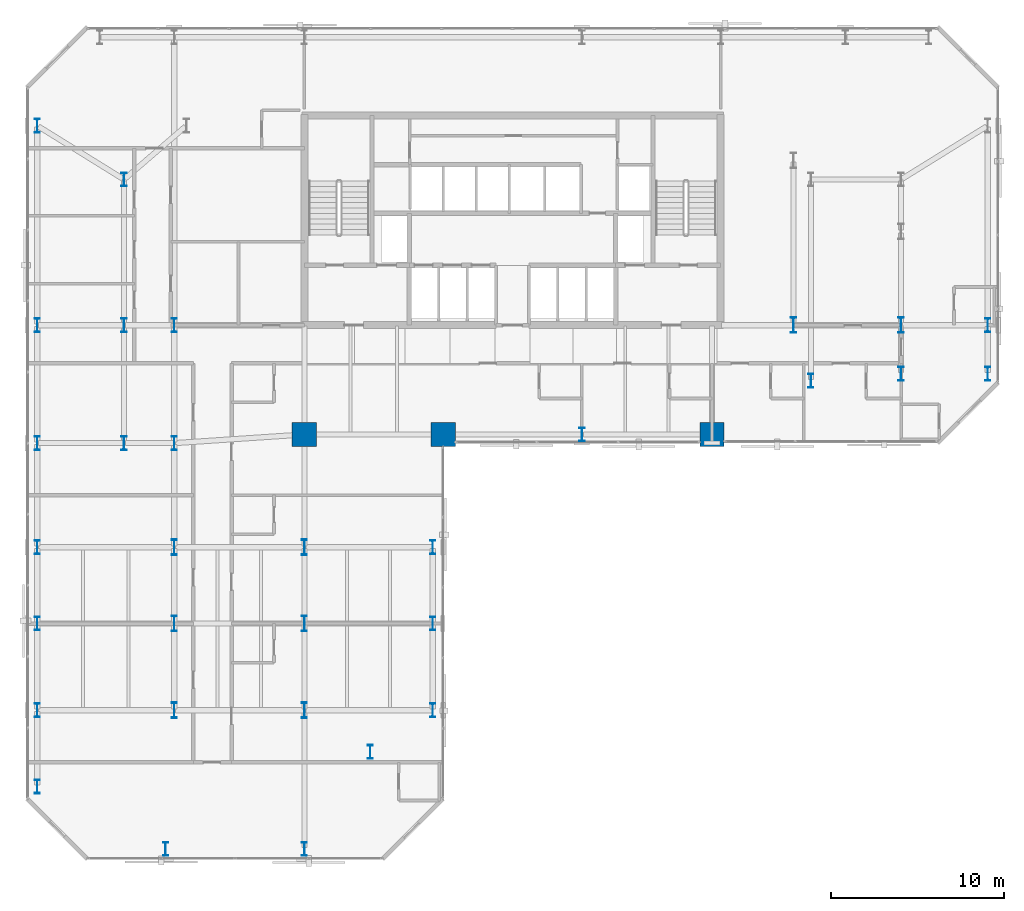
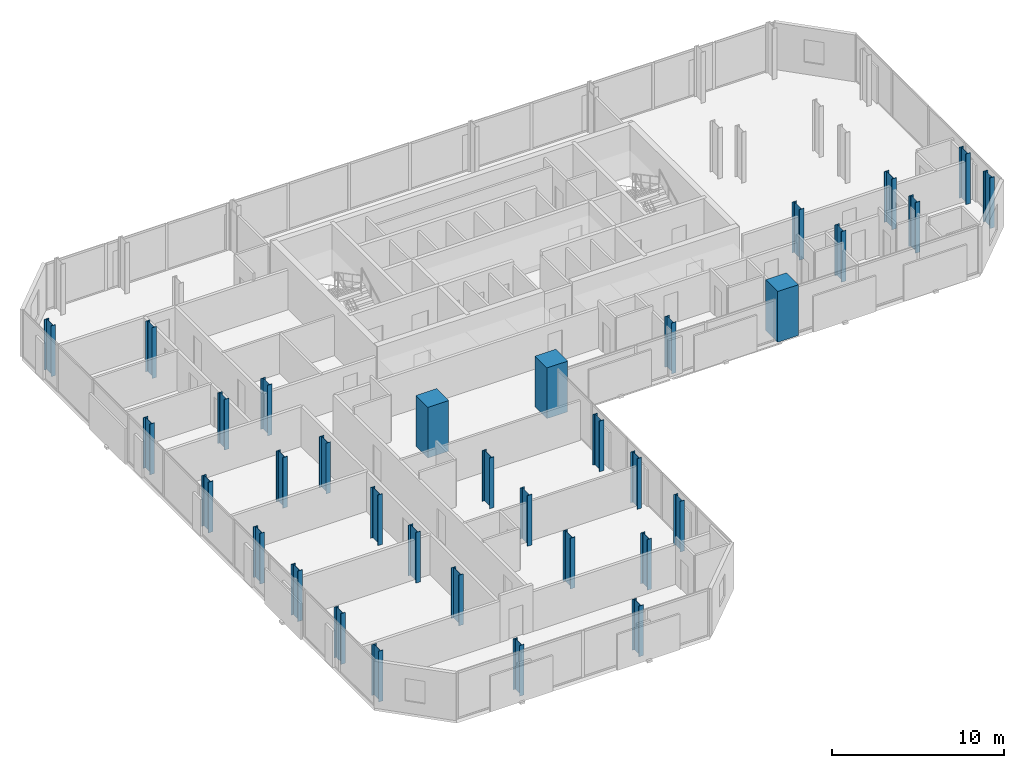
# One storey, part 1 of 32: 34 columns.
"""IFC4 building model written with IfcOpenShell, lengths in metres."""

from ifc_helpers import new_model, si_unit, direction, frame, origin, origin_2d, place, context, subcontext, project, spatial, rectangle, i_section, extrude, material, material_profile, profile_set, type_object, element, save


model = new_model("IFC4")

# Units and contexts
model_context = context("Model", 3, precision=1e-05, world=origin(), true_north=direction((0.0, 1.0)))
body_context = subcontext(model_context, "Body", "Model", "MODEL_VIEW")
ifc_project = project(units=[si_unit("LENGTHUNIT", "METRE"), si_unit("AREAUNIT", "SQUARE_METRE"), si_unit("VOLUMEUNIT", "CUBIC_METRE"), si_unit("PLANEANGLEUNIT", "RADIAN"), si_unit("MASSUNIT", "GRAM", prefix="KILO")], contexts=[model_context])

# Site, building, storey
site_placement = place(None, origin())
site = spatial("IfcSite", under=ifc_project, at=site_placement, CompositionType="ELEMENT")
building_placement = place(site_placement, origin())
building = spatial("IfcBuilding", under=site, at=building_placement, Name="Catumbela Crestline Tower", CompositionType="ELEMENT")
storey_placement = place(building_placement, frame((0.0, 0.0, 61.8)))
storey = spatial("IfcBuildingStorey", under=building, at=storey_placement, Name="L15", CompositionType="ELEMENT", Elevation=61.8)

# Columns
ifc_material_1 = material(Name="Concrete C60/75", Category="concrete")
ifc_material_profile_1 = material_profile(ifc_material_1, rectangle(XDim=1.4, YDim=1.4, at=origin_2d()), Name="RC 1400x1400")
ifc_profile_set_1 = profile_set([ifc_material_profile_1], Name="Concrete C60/75")
column_type_1 = type_object("IfcColumnType", Name="C-RC1400-C60", PredefinedType="COLUMN", material=ifc_profile_set_1)
for number, where, z_axis, x_axis, name in (
    (1, (16.0, 24.5, 0.0), (0.0, 0.0, 1.0), (1.0, 0.0, 0.0), "L15 Column C-16-24 (RC 1400x1400)"),
    (2, (24.0, 24.5, 0.0), (0.0, 0.0, 1.0), (1.0, 0.0, 0.0), "L15 Column C-24-24 (RC 1400x1400)"),
    (3, (39.5, 24.5, 0.0), (0.0, 0.0, 1.0), (1.0, 0.0, 0.0), "L15 Column C-40-24 (RC 1400x1400)"),
):
    element("IfcColumn", number, at=place(storey_placement, frame(where, z_axis=z_axis, x_axis=x_axis)), inside=storey, type_object=column_type_1, Name=name, PredefinedType="COLUMN", context=body_context, shape_type="SweptSolid", body=[
        extrude(rectangle(XDim=1.4, YDim=1.4, at=origin_2d()), origin(), (0.0, 0.0, 1.0), 3.6),
    ])
ifc_material_2 = material(Name="Structural steel S460M", Category="steel")
ifc_material_profile_2 = material_profile(ifc_material_2, i_section(OverallWidth=0.3, OverallDepth=0.8, WebThickness=0.0175, FlangeThickness=0.033, FilletRadius=0.03, at=origin_2d()), Name="HEB 800")
ifc_profile_set_2 = profile_set([ifc_material_profile_2], Name="Structural steel S460M")
column_type_2 = type_object("IfcColumnType", Name="C-ST-HEB800", PredefinedType="COLUMN", material=ifc_profile_set_2)
for number, where, z_axis, x_axis, name in (
    (4, (8.5, 24.0, 0.0), (0.0, 0.0, 1.0), (1.0, 0.0, 0.0), "L15 Column C-08-24 (HEB 800)"),
    (5, (32.0, 24.5, 0.0), (0.0, 0.0, 1.0), (1.0, 0.0, 0.0), "L15 Column C-32-24 (HEB 800)"),
    (6, (5.6, 24.0, 0.0), (0.0, 0.0, 1.0), (1.0, 0.0, 0.0), "L15 Column C-05-24 (HEB 800)"),
    (7, (5.6, 30.8, 0.0), (0.0, 0.0, 1.0), (1.0, 0.0, 0.0), "L15 Column C-05-31 (HEB 800)"),
    (8, (5.6, 39.2, 0.0), (0.0, 0.0, 1.0), (1.0, 0.0, 0.0), "L15 Column C-05-43 (HEB 800)"),
    (9, (8.5, 30.8, 0.0), (0.0, 0.0, 1.0), (1.0, 0.0, 0.0), "L15 Column C-08-31 (HEB 800)"),
    (10, (45.2, 27.6, 0.0), (0.0, 0.0, 1.0), (1.0, 0.0, 0.0), "L15 Column C-46-24 (HEB 800)"),
    (11, (0.6, 24.0, 0.0), (0.0, 0.0, 1.0), (1.0, 0.0, 0.0), "L15 Column C-00-24 (HEB 800)"),
    (12, (0.6, 30.8, 0.0), (0.0, 0.0, 1.0), (1.0, 0.0, 0.0), "L15 Column C-00-31 (HEB 800)"),
    (13, (0.6, 42.3, 0.0), (0.0, 0.0, 1.0), (1.0, 0.0, 0.0), "L15 Column C-00-43 (HEB 800)"),
    (14, (50.4, 28.0, 0.0), (0.0, 0.0, 1.0), (1.0, 0.0, 0.0), "L15 Column C-51-24 (HEB 800)"),
    (15, (55.4, 28.0, 0.0), (0.0, 0.0, 1.0), (1.0, 0.0, 0.0), "L15 Column C-56-24 (HEB 800)"),
    (16, (55.4, 30.8, 0.0), (0.0, 0.0, 1.0), (1.0, 0.0, 0.0), "L15 Column C-56-31 (HEB 800)"),
    (17, (0.6, 8.6, 0.0), (0.0, 0.0, 1.0), (1.0, 0.0, 0.0), "L15 Column C-00-05 (HEB 800)"),
    (18, (0.6, 13.6, 0.0), (0.0, 0.0, 1.0), (1.0, 0.0, 0.0), "L15 Column C-00-10 (HEB 800)"),
    (19, (0.6, 18.0, 0.0), (0.0, 0.0, 1.0), (1.0, 0.0, 0.0), "L15 Column C-00-16 (HEB 800)"),
    (20, (0.6, 4.2, 0.0), (0.0, 0.0, 1.0), (1.0, 0.0, 0.0), "L15 Column C-00-03 (HEB 800)"),
    (21, (8.0, 0.6, 0.0), (0.0, 0.0, 1.0), (1.0, 0.0, 0.0), "L15 Column C-08-00 (HEB 800)"),
    (22, (16.0, 0.6, 0.0), (0.0, 0.0, 1.0), (1.0, 0.0, 0.0), "L15 Column C-16-00 (HEB 800)"),
    (23, (19.8, 6.2, 0.0), (0.0, 0.0, 1.0), (1.0, 0.0, 0.0), "L15 Column C-24-05 (HEB 800)"),
    (24, (23.4, 8.6, 0.0), (0.0, 0.0, 1.0), (1.0, 0.0, 0.0), "L15 Column C-23-08 (HEB 800)"),
    (25, (23.4, 13.6, 0.0), (0.0, 0.0, 1.0), (1.0, 0.0, 0.0), "L15 Column C-24-10 (HEB 800)"),
    (26, (23.4, 18.0, 0.0), (0.0, 0.0, 1.0), (1.0, 0.0, 0.0), "L15 Column C-24-16 (HEB 800)"),
):
    element("IfcColumn", number, at=place(storey_placement, frame(where, z_axis=z_axis, x_axis=x_axis)), inside=storey, type_object=column_type_2, Name=name, PredefinedType="COLUMN", context=body_context, shape_type="SweptSolid", body=[
        extrude(i_section(OverallWidth=0.3, OverallDepth=0.8, WebThickness=0.0175, FlangeThickness=0.033, FilletRadius=0.03, at=origin_2d()), origin(), (0.0, 0.0, 1.0), 3.6),
    ])
ifc_material_profile_3 = material_profile(ifc_material_2, i_section(OverallWidth=0.3, OverallDepth=0.9, WebThickness=0.0185, FlangeThickness=0.035, FilletRadius=0.03, at=origin_2d()), Name="HEB 900")
ifc_profile_set_3 = profile_set([ifc_material_profile_3], Name="Structural steel S460M")
column_type_3 = type_object("IfcColumnType", Name="C-ST-HEB900", PredefinedType="COLUMN", material=ifc_profile_set_3)
for number, where, z_axis, x_axis, name in (
    (27, (8.5, 8.6, 0.0), (0.0, 0.0, 1.0), (1.0, 0.0, 0.0), "L15 Column CT-05-05 (HEB 900)"),
    (28, (16.0, 8.6, 0.0), (0.0, 0.0, 1.0), (1.0, 0.0, 0.0), "L15 Column CT-14-05 (HEB 900)"),
    (29, (8.5, 13.6, 0.0), (0.0, 0.0, 1.0), (1.0, 0.0, 0.0), "L15 Column CT-05-10 (HEB 900)"),
    (30, (16.0, 13.6, 0.0), (0.0, 0.0, 1.0), (1.0, 0.0, 0.0), "L15 Column CT-14-10 (HEB 900)"),
    (31, (8.5, 18.0, 0.0), (0.0, 0.0, 1.0), (1.0, 0.0, 0.0), "L15 Column CT-05-16 (HEB 900)"),
    (32, (16.0, 18.0, 0.0), (0.0, 0.0, 1.0), (1.0, 0.0, 0.0), "L15 Column CT-14-16 (HEB 900)"),
    (33, (44.2, 30.8, 0.0), (0.0, 0.0, 1.0), (1.0, 0.0, 0.0), "L15 Column CT-46-31 (HEB 900)"),
    (34, (50.4, 30.8, 0.0), (0.0, 0.0, 1.0), (1.0, 0.0, 0.0), "L15 Column CT-51-31 (HEB 900)"),
):
    element("IfcColumn", number, at=place(storey_placement, frame(where, z_axis=z_axis, x_axis=x_axis)), inside=storey, type_object=column_type_3, Name=name, PredefinedType="COLUMN", context=body_context, shape_type="SweptSolid", body=[
        extrude(i_section(OverallWidth=0.3, OverallDepth=0.9, WebThickness=0.0185, FlangeThickness=0.035, FilletRadius=0.03, at=origin_2d()), origin(), (0.0, 0.0, 1.0), 3.6),
    ])

save(model, "model.ifc")
